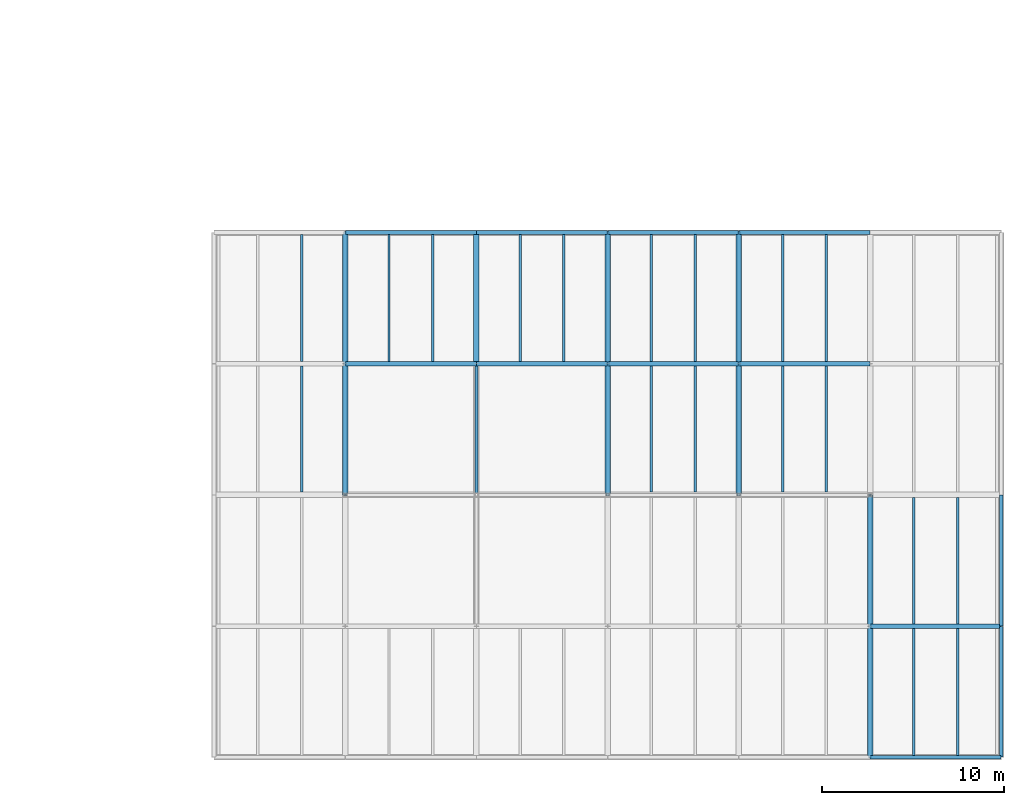
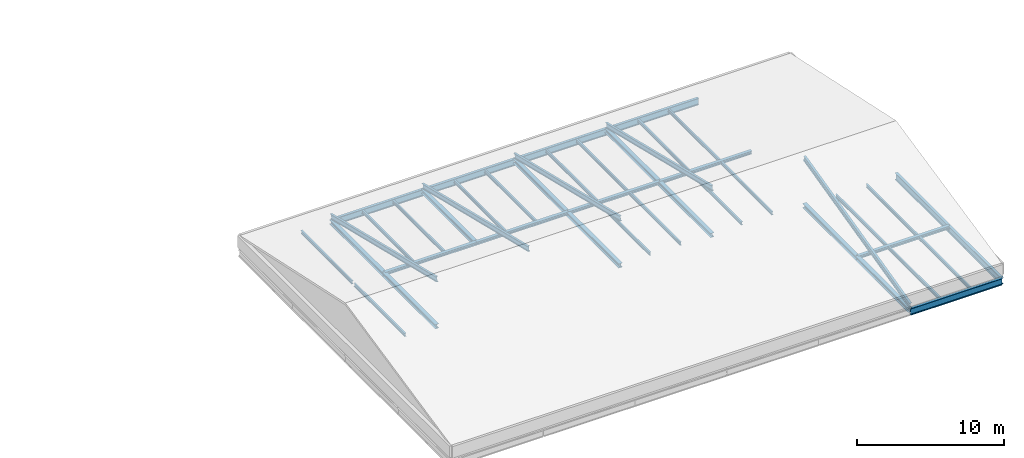
# One storey, part 19 of 66: 39 beams, 5 members.
"""IFC4 building model written with IfcOpenShell, lengths in metres."""

from ifc_helpers import new_model, si_unit, direction, frame, origin, origin_2d, place, context, subcontext, project, spatial, i_section, extrude, material, material_profile, profile_set, type_object, element, save


model = new_model("IFC4")

# Units and contexts
model_context = context("Model", 3, precision=1e-05, world=origin(), true_north=direction((0.0, 1.0)))
body_context = subcontext(model_context, "Body", "Model", "MODEL_VIEW")
ifc_project = project(units=[si_unit("LENGTHUNIT", "METRE"), si_unit("AREAUNIT", "SQUARE_METRE"), si_unit("VOLUMEUNIT", "CUBIC_METRE"), si_unit("PLANEANGLEUNIT", "RADIAN"), si_unit("MASSUNIT", "GRAM", prefix="KILO")], contexts=[model_context])

# Site, building, storey
site_placement = place(None, origin())
site = spatial("IfcSite", under=ifc_project, at=site_placement, CompositionType="ELEMENT")
building_placement = place(site_placement, origin())
building = spatial("IfcBuilding", under=site, at=building_placement, Name="Narikvali Park Central Library", CompositionType="ELEMENT")
storey_placement = place(building_placement, frame((0.0, 0.0, 18.60009765625)))
storey = spatial("IfcBuildingStorey", under=building, at=storey_placement, Name="L04", CompositionType="ELEMENT", Elevation=18.60009765625)

# Beams
ifc_material = material(Name="Steel S355", Category="steel")
ifc_material_profile_1 = material_profile(ifc_material, i_section(OverallWidth=0.135009765625, OverallDepth=0.27001953125, WebThickness=0.006591796875, FlangeThickness=0.01025390625, FilletRadius=0.014892578125, at=origin_2d()), Name="IPE 270")
ifc_profile_set_1 = profile_set([ifc_material_profile_1], Name="Steel S355")
beam_type_1 = type_object("IfcBeamType", Name="Composite Floor Joist IPE270", PredefinedType="JOIST", material=ifc_profile_set_1)
beam_1_placement = place(storey_placement, frame((127.199951171875, 14.550048828125, -0.375), z_axis=(0.0, 1.0, 0.0), x_axis=(-1.0, 0.0, 0.0)))
element("IfcBeam", 1, at=beam_1_placement, inside=storey, type_object=beam_type_1, Name="V6 L04 Composite Joist 2", PredefinedType="JOIST", context=body_context, shape_type="SweptSolid", body=[
    extrude(i_section(OverallWidth=0.135009765625, OverallDepth=0.27001953125, WebThickness=0.006591796875, FlangeThickness=0.01025390625, FilletRadius=0.014892578125, at=origin_2d()), origin(), (0.0, 0.0, 1.0), 6.919921875),
])
for number, where, z_axis, x_axis, name in (
    (2, (127.199951171875, 21.72998046875, -0.375), (0.0, 1.0, 0.0), (-1.0, 0.0, 0.0), "V6 L04 Composite Joist 2"),
    (3, (132.0, 21.72998046875, -0.375), (0.0, 1.0, 0.0), (-1.0, 0.0, 0.0), "V6 L04 Composite Joist 1"),
    (4, (134.39990234375, 21.72998046875, -0.375), (0.0, 1.0, 0.0), (-1.0, 0.0, 0.0), "V6 L04 Composite Joist 2"),
    (5, (139.199951171875, 21.72998046875, -0.375), (0.0, 1.0, 0.0), (-1.0, 0.0, 0.0), "V6 L04 Composite Joist 1"),
    (6, (141.60009765625, 21.72998046875, -0.375), (0.0, 1.0, 0.0), (-1.0, 0.0, 0.0), "V6 L04 Composite Joist 2"),
):
    element("IfcBeam", number, at=place(storey_placement, frame(where, z_axis=z_axis, x_axis=x_axis)), inside=storey, type_object=beam_type_1, Name=name, PredefinedType="JOIST", context=body_context, shape_type="SweptSolid", body=[
        extrude(i_section(OverallWidth=0.135009765625, OverallDepth=0.27001953125, WebThickness=0.006591796875, FlangeThickness=0.01025390625, FilletRadius=0.014892578125, at=origin_2d()), origin(), (0.0, 0.0, 1.0), 6.965087890625),
    ])
for number, where, z_axis, x_axis, name in (
    (7, (146.39990234375, 14.550048828125, -0.375), (0.0, 1.0, 0.0), (-1.0, 0.0, 0.0), "V6 L04 Composite Joist 1"),
    (8, (148.800048828125, 14.550048828125, -0.375), (0.0, 1.0, 0.0), (-1.0, 0.0, 0.0), "V6 L04 Composite Joist 2"),
):
    element("IfcBeam", number, at=place(storey_placement, frame(where, z_axis=z_axis, x_axis=x_axis)), inside=storey, type_object=beam_type_1, Name=name, PredefinedType="JOIST", context=body_context, shape_type="SweptSolid", body=[
        extrude(i_section(OverallWidth=0.135009765625, OverallDepth=0.27001953125, WebThickness=0.006591796875, FlangeThickness=0.01025390625, FilletRadius=0.014892578125, at=origin_2d()), origin(), (0.0, 0.0, 1.0), 6.919921875),
    ])
for number, where, z_axis, x_axis, name in (
    (9, (146.39990234375, 21.72998046875, -0.375), (0.0, 1.0, 0.0), (-1.0, 0.0, 0.0), "V6 L04 Composite Joist 1"),
    (10, (148.800048828125, 21.72998046875, -0.375), (0.0, 1.0, 0.0), (-1.0, 0.0, 0.0), "V6 L04 Composite Joist 2"),
):
    element("IfcBeam", number, at=place(storey_placement, frame(where, z_axis=z_axis, x_axis=x_axis)), inside=storey, type_object=beam_type_1, Name=name, PredefinedType="JOIST", context=body_context, shape_type="SweptSolid", body=[
        extrude(i_section(OverallWidth=0.135009765625, OverallDepth=0.27001953125, WebThickness=0.006591796875, FlangeThickness=0.01025390625, FilletRadius=0.014892578125, at=origin_2d()), origin(), (0.0, 0.0, 1.0), 6.965087890625),
    ])
for number, where, z_axis, x_axis, name in (
    (11, (153.60009765625, 14.550048828125, -0.375), (0.0, 1.0, 0.0), (-1.0, 0.0, 0.0), "V6 L04 Composite Joist 1"),
    (12, (156.0, 14.550048828125, -0.375), (0.0, 1.0, 0.0), (-1.0, 0.0, 0.0), "V6 L04 Composite Joist 2"),
):
    element("IfcBeam", number, at=place(storey_placement, frame(where, z_axis=z_axis, x_axis=x_axis)), inside=storey, type_object=beam_type_1, Name=name, PredefinedType="JOIST", context=body_context, shape_type="SweptSolid", body=[
        extrude(i_section(OverallWidth=0.135009765625, OverallDepth=0.27001953125, WebThickness=0.006591796875, FlangeThickness=0.01025390625, FilletRadius=0.014892578125, at=origin_2d()), origin(), (0.0, 0.0, 1.0), 6.919921875),
    ])
for number, where, z_axis, x_axis, name in (
    (13, (153.60009765625, 21.72998046875, -0.375), (0.0, 1.0, 0.0), (-1.0, 0.0, 0.0), "V6 L04 Composite Joist 1"),
    (14, (156.0, 21.72998046875, -0.375), (0.0, 1.0, 0.0), (-1.0, 0.0, 0.0), "V6 L04 Composite Joist 2"),
    (15, (160.800048828125, 0.10498046875, -0.375), (0.0, 1.0, 0.0), (-1.0, 0.0, 0.0), "V6 L04 Composite Joist 1"),
    (16, (163.199951171875, 0.10498046875, -0.375), (0.0, 1.0, 0.0), (-1.0, 0.0, 0.0), "V6 L04 Composite Joist 2"),
):
    element("IfcBeam", number, at=place(storey_placement, frame(where, z_axis=z_axis, x_axis=x_axis)), inside=storey, type_object=beam_type_1, Name=name, PredefinedType="JOIST", context=body_context, shape_type="SweptSolid", body=[
        extrude(i_section(OverallWidth=0.135009765625, OverallDepth=0.27001953125, WebThickness=0.006591796875, FlangeThickness=0.01025390625, FilletRadius=0.014892578125, at=origin_2d()), origin(), (0.0, 0.0, 1.0), 6.965087890625),
    ])
for number, where, z_axis, x_axis, name in (
    (17, (160.800048828125, 7.330078125, -0.375), (0.0, 1.0, 0.0), (-1.0, 0.0, 0.0), "V6 L04 Composite Joist 1"),
    (18, (163.199951171875, 7.330078125, -0.375), (0.0, 1.0, 0.0), (-1.0, 0.0, 0.0), "V6 L04 Composite Joist 2"),
):
    element("IfcBeam", number, at=place(storey_placement, frame(where, z_axis=z_axis, x_axis=x_axis)), inside=storey, type_object=beam_type_1, Name=name, PredefinedType="JOIST", context=body_context, shape_type="SweptSolid", body=[
        extrude(i_section(OverallWidth=0.135009765625, OverallDepth=0.27001953125, WebThickness=0.006591796875, FlangeThickness=0.01025390625, FilletRadius=0.014892578125, at=origin_2d()), origin(), (0.0, 0.0, 1.0), 6.919921875),
    ])

# Members
ifc_material_profile_2 = material_profile(ifc_material, i_section(OverallWidth=0.179931640625, OverallDepth=0.39990234375, WebThickness=0.008544921875, FlangeThickness=0.013427734375, FilletRadius=0.02099609375, at=origin_2d()), Name="IPE 400")
ifc_profile_set_2 = profile_set([ifc_material_profile_2], Name="Steel S355")
member_type = type_object("IfcMemberType", Name="Long-Span Pavilion Rafter IPE400", PredefinedType="RAFTER", material=ifc_profile_set_2)
for number, where, z_axis, x_axis, name in (
    (19, (129.60009765625, 14.39990234375, 3.5), (0.0, 0.971710023304, -0.236177117035), (-1.0, 0.0, 0.0), "V6 Roof Rafter N 1"),
    (20, (136.800048828125, 14.39990234375, 3.5), (0.0, 0.971710023304, -0.236177117035), (-1.0, 0.0, 0.0), "V6 Roof Rafter N 2"),
    (21, (144.0, 14.39990234375, 3.5), (0.0, 0.971710023304, -0.236177117035), (-1.0, 0.0, 0.0), "V6 Roof Rafter N 3"),
    (22, (151.199951171875, 14.39990234375, 3.5), (0.0, 0.971710023304, -0.236177117035), (-1.0, 0.0, 0.0), "V6 Roof Rafter N 4"),
):
    element("IfcMember", number, at=place(storey_placement, frame(where, z_axis=z_axis, x_axis=x_axis)), inside=storey, type_object=member_type, Name=name, PredefinedType="RAFTER", context=body_context, shape_type="SweptSolid", body=[
        extrude(i_section(OverallWidth=0.179931640625, OverallDepth=0.39990234375, WebThickness=0.008544921875, FlangeThickness=0.013427734375, FilletRadius=0.02099609375, at=origin_2d()), origin(), (0.0, 0.0, 1.0), 14.8193359375),
    ])
member_placement = place(storey_placement, frame((158.39990234375, 0.0, 0.0), z_axis=(0.0, 0.971709104345, 0.236180897899), x_axis=(-1.0, 0.0, 0.0)))
element("IfcMember", 23, at=member_placement, inside=storey, type_object=member_type, Name="V6 Roof Rafter S 5", PredefinedType="RAFTER", context=body_context, shape_type="SweptSolid", body=[
    extrude(i_section(OverallWidth=0.179931640625, OverallDepth=0.39990234375, WebThickness=0.008544921875, FlangeThickness=0.013427734375, FilletRadius=0.02099609375, at=origin_2d()), origin(), (0.0, 0.0, 1.0), 14.819091796875),
])

# Beams
ifc_material_profile_3 = material_profile(ifc_material, i_section(OverallWidth=0.2099609375, OverallDepth=0.550048828125, WebThickness=0.010986328125, FlangeThickness=0.01708984375, FilletRadius=0.02392578125, at=origin_2d()), Name="IPE 550")
ifc_profile_set_3 = profile_set([ifc_material_profile_3], Name="Steel S355")
beam_type_2 = type_object("IfcBeamType", Name="Perimeter Spandrel IPE550", PredefinedType="SPANDREL", material=ifc_profile_set_3)
for number, where, z_axis, x_axis, name in (
    (24, (158.407958984375, 0.0, -0.51513671875), (1.0, 0.0, 0.0), (0.0, 1.0, 0.0), "V6 L04 Girder X"),
    (25, (129.60791015625, 28.800048828125, -0.51513671875), (1.0, 0.0, 0.0), (0.0, 1.0, 0.0), "V6 L04 Girder X"),
):
    element("IfcBeam", number, at=place(storey_placement, frame(where, z_axis=z_axis, x_axis=x_axis)), inside=storey, type_object=beam_type_2, Name=name, PredefinedType="SPANDREL", context=body_context, shape_type="SweptSolid", body=[
        extrude(i_section(OverallWidth=0.2099609375, OverallDepth=0.550048828125, WebThickness=0.010986328125, FlangeThickness=0.01708984375, FilletRadius=0.02392578125, at=origin_2d()), origin(), (0.0, 0.0, 1.0), 7.18408203125),
    ])
for number, where, z_axis, x_axis, name in (
    (26, (136.80810546875, 28.800048828125, -0.51513671875), (1.0, 0.0, 0.0), (0.0, 1.0, 0.0), "V6 L04 Girder X"),
    (27, (144.008056640625, 28.800048828125, -0.51513671875), (1.0, 0.0, 0.0), (0.0, 1.0, 0.0), "V6 L04 Girder X"),
):
    element("IfcBeam", number, at=place(storey_placement, frame(where, z_axis=z_axis, x_axis=x_axis)), inside=storey, type_object=beam_type_2, Name=name, PredefinedType="SPANDREL", context=body_context, shape_type="SweptSolid", body=[
        extrude(i_section(OverallWidth=0.2099609375, OverallDepth=0.550048828125, WebThickness=0.010986328125, FlangeThickness=0.01708984375, FilletRadius=0.02392578125, at=origin_2d()), origin(), (0.0, 0.0, 1.0), 7.183837890625),
    ])
beam_2_placement = place(storey_placement, frame((151.2080078125, 28.800048828125, -0.51513671875), z_axis=(1.0, 0.0, 0.0), x_axis=(0.0, 1.0, 0.0)))
element("IfcBeam", 28, at=beam_2_placement, inside=storey, type_object=beam_type_2, Name="V6 L04 Girder X", PredefinedType="SPANDREL", context=body_context, shape_type="SweptSolid", body=[
    extrude(i_section(OverallWidth=0.2099609375, OverallDepth=0.550048828125, WebThickness=0.010986328125, FlangeThickness=0.01708984375, FilletRadius=0.02392578125, at=origin_2d()), origin(), (0.0, 0.0, 1.0), 7.18408203125),
])
beam_3_placement = place(storey_placement, frame((165.60009765625, 0.008056640625, -0.51513671875), z_axis=(0.0, 1.0, 0.0), x_axis=(-1.0, 0.0, 0.0)))
element("IfcBeam", 29, at=beam_3_placement, inside=storey, type_object=beam_type_2, Name="V6 L04 Girder Y", PredefinedType="SPANDREL", context=body_context, shape_type="SweptSolid", body=[
    extrude(i_section(OverallWidth=0.2099609375, OverallDepth=0.550048828125, WebThickness=0.010986328125, FlangeThickness=0.01708984375, FilletRadius=0.02392578125, at=origin_2d()), origin(), (0.0, 0.0, 1.0), 7.183837890625),
])
beam_4_placement = place(storey_placement, frame((165.60009765625, 7.2080078125, -0.51513671875), z_axis=(0.0, 1.0, 0.0), x_axis=(-1.0, 0.0, 0.0)))
element("IfcBeam", 30, at=beam_4_placement, inside=storey, type_object=beam_type_2, Name="V6 L04 Girder Y", PredefinedType="SPANDREL", context=body_context, shape_type="SweptSolid", body=[
    extrude(i_section(OverallWidth=0.2099609375, OverallDepth=0.550048828125, WebThickness=0.010986328125, FlangeThickness=0.01708984375, FilletRadius=0.02392578125, at=origin_2d()), origin(), (0.0, 0.0, 1.0), 7.18408203125),
])
ifc_material_profile_4 = material_profile(ifc_material, i_section(OverallWidth=0.260009765625, OverallDepth=0.25, WebThickness=0.007568359375, FlangeThickness=0.012451171875, FilletRadius=0.02392578125, at=origin_2d()), Name="HEA 260")
ifc_profile_set_4 = profile_set([ifc_material_profile_4], Name="Steel S355")
beam_type_3 = type_object("IfcBeamType", Name="Primary Girder HEA260", PredefinedType="BEAM", material=ifc_profile_set_4)
for number, where, z_axis, x_axis, name in (
    (31, (158.407958984375, 7.199951171875, -0.364990234375), (1.0, 0.0, 0.0), (0.0, 1.0, 0.0), "V6 L04 Girder X"),
    (32, (129.60791015625, 21.60009765625, -0.364990234375), (1.0, 0.0, 0.0), (0.0, 1.0, 0.0), "V6 L04 Girder X"),
):
    element("IfcBeam", number, at=place(storey_placement, frame(where, z_axis=z_axis, x_axis=x_axis)), inside=storey, type_object=beam_type_3, Name=name, PredefinedType="BEAM", context=body_context, shape_type="SweptSolid", body=[
        extrude(i_section(OverallWidth=0.260009765625, OverallDepth=0.25, WebThickness=0.007568359375, FlangeThickness=0.012451171875, FilletRadius=0.02392578125, at=origin_2d()), origin(), (0.0, 0.0, 1.0), 7.18408203125),
    ])
for number, where, z_axis, x_axis, name in (
    (33, (136.80810546875, 21.60009765625, -0.364990234375), (1.0, 0.0, 0.0), (0.0, 1.0, 0.0), "V6 L04 Girder X"),
    (34, (144.008056640625, 21.60009765625, -0.364990234375), (1.0, 0.0, 0.0), (0.0, 1.0, 0.0), "V6 L04 Girder X"),
):
    element("IfcBeam", number, at=place(storey_placement, frame(where, z_axis=z_axis, x_axis=x_axis)), inside=storey, type_object=beam_type_3, Name=name, PredefinedType="BEAM", context=body_context, shape_type="SweptSolid", body=[
        extrude(i_section(OverallWidth=0.260009765625, OverallDepth=0.25, WebThickness=0.007568359375, FlangeThickness=0.012451171875, FilletRadius=0.02392578125, at=origin_2d()), origin(), (0.0, 0.0, 1.0), 7.183837890625),
    ])
beam_5_placement = place(storey_placement, frame((151.2080078125, 21.60009765625, -0.364990234375), z_axis=(1.0, 0.0, 0.0), x_axis=(0.0, 1.0, 0.0)))
element("IfcBeam", 35, at=beam_5_placement, inside=storey, type_object=beam_type_3, Name="V6 L04 Girder X", PredefinedType="BEAM", context=body_context, shape_type="SweptSolid", body=[
    extrude(i_section(OverallWidth=0.260009765625, OverallDepth=0.25, WebThickness=0.007568359375, FlangeThickness=0.012451171875, FilletRadius=0.02392578125, at=origin_2d()), origin(), (0.0, 0.0, 1.0), 7.18408203125),
])
ifc_material_profile_5 = material_profile(ifc_material, i_section(OverallWidth=0.300048828125, OverallDepth=0.35009765625, WebThickness=0.010009765625, FlangeThickness=0.017578125, FilletRadius=0.027099609375, at=origin_2d()), Name="HEA 360")
ifc_profile_set_5 = profile_set([ifc_material_profile_5], Name="Steel S355")
beam_type_4 = type_object("IfcBeamType", Name="Primary Girder HEA360", PredefinedType="BEAM", material=ifc_profile_set_5)
for number, where, z_axis, x_axis, name in (
    (36, (129.60009765625, 14.407958984375, -0.4150390625), (0.0, 1.0, 0.0), (-1.0, 0.0, 0.0), "V6 L04 Girder Y"),
    (37, (129.60009765625, 21.60791015625, -0.4150390625), (0.0, 1.0, 0.0), (-1.0, 0.0, 0.0), "V6 L04 Girder Y"),
    (38, (136.800048828125, 21.60791015625, -0.4150390625), (0.0, 1.0, 0.0), (-1.0, 0.0, 0.0), "V6 L04 Girder Y"),
    (39, (144.0, 14.407958984375, -0.4150390625), (0.0, 1.0, 0.0), (-1.0, 0.0, 0.0), "V6 L04 Girder Y"),
    (40, (144.0, 21.60791015625, -0.4150390625), (0.0, 1.0, 0.0), (-1.0, 0.0, 0.0), "V6 L04 Girder Y"),
    (41, (151.199951171875, 14.407958984375, -0.4150390625), (0.0, 1.0, 0.0), (-1.0, 0.0, 0.0), "V6 L04 Girder Y"),
    (42, (151.199951171875, 21.60791015625, -0.4150390625), (0.0, 1.0, 0.0), (-1.0, 0.0, 0.0), "V6 L04 Girder Y"),
):
    element("IfcBeam", number, at=place(storey_placement, frame(where, z_axis=z_axis, x_axis=x_axis)), inside=storey, type_object=beam_type_4, Name=name, PredefinedType="BEAM", context=body_context, shape_type="SweptSolid", body=[
        extrude(i_section(OverallWidth=0.300048828125, OverallDepth=0.35009765625, WebThickness=0.010009765625, FlangeThickness=0.017578125, FilletRadius=0.027099609375, at=origin_2d()), origin(), (0.0, 0.0, 1.0), 7.18408203125),
    ])
beam_6_placement = place(storey_placement, frame((158.39990234375, 0.008056640625, -0.4150390625), z_axis=(0.0, 1.0, 0.0), x_axis=(-1.0, 0.0, 0.0)))
element("IfcBeam", 43, at=beam_6_placement, inside=storey, type_object=beam_type_4, Name="V6 L04 Girder Y", PredefinedType="BEAM", context=body_context, shape_type="SweptSolid", body=[
    extrude(i_section(OverallWidth=0.300048828125, OverallDepth=0.35009765625, WebThickness=0.010009765625, FlangeThickness=0.017578125, FilletRadius=0.027099609375, at=origin_2d()), origin(), (0.0, 0.0, 1.0), 7.183837890625),
])
beam_7_placement = place(storey_placement, frame((158.39990234375, 7.2080078125, -0.4150390625), z_axis=(0.0, 1.0, 0.0), x_axis=(-1.0, 0.0, 0.0)))
element("IfcBeam", 44, at=beam_7_placement, inside=storey, type_object=beam_type_4, Name="V6 L04 Girder Y", PredefinedType="BEAM", context=body_context, shape_type="SweptSolid", body=[
    extrude(i_section(OverallWidth=0.300048828125, OverallDepth=0.35009765625, WebThickness=0.010009765625, FlangeThickness=0.017578125, FilletRadius=0.027099609375, at=origin_2d()), origin(), (0.0, 0.0, 1.0), 7.18408203125),
])

save(model, "model.ifc")
